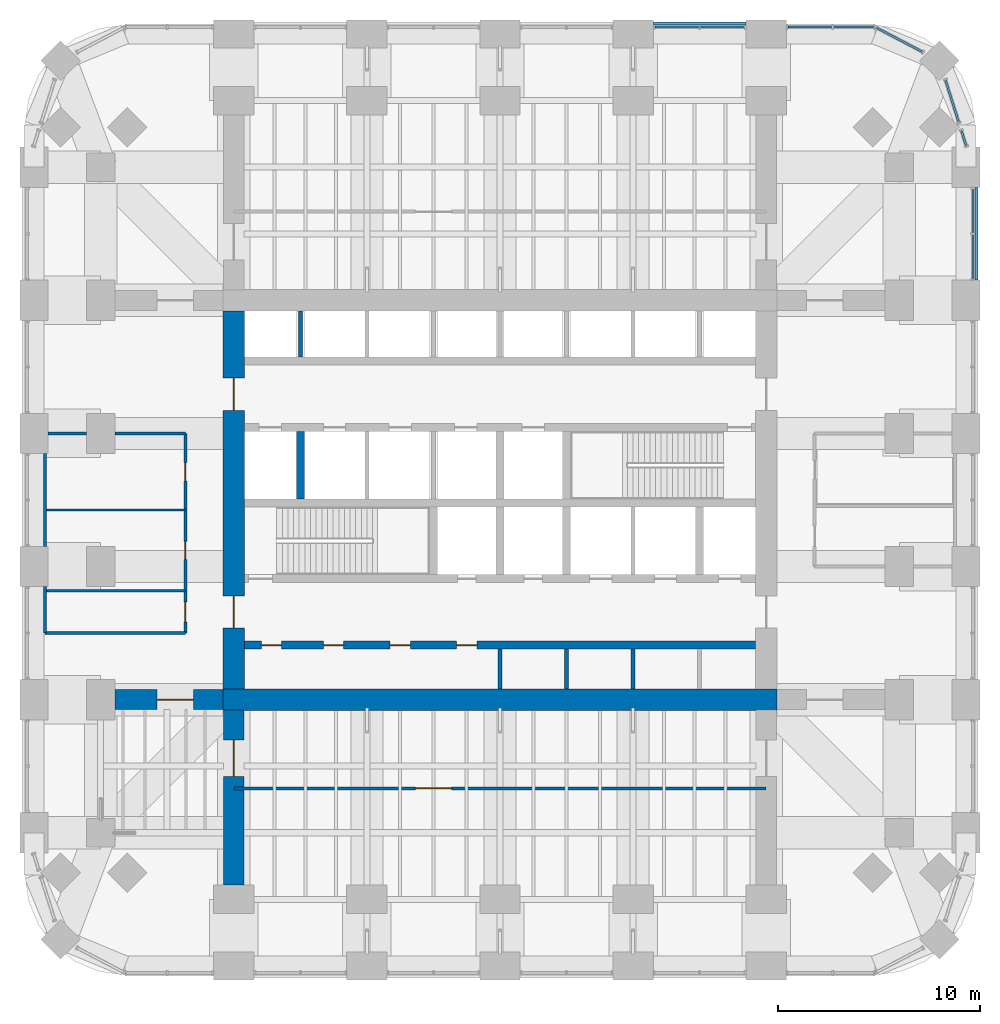
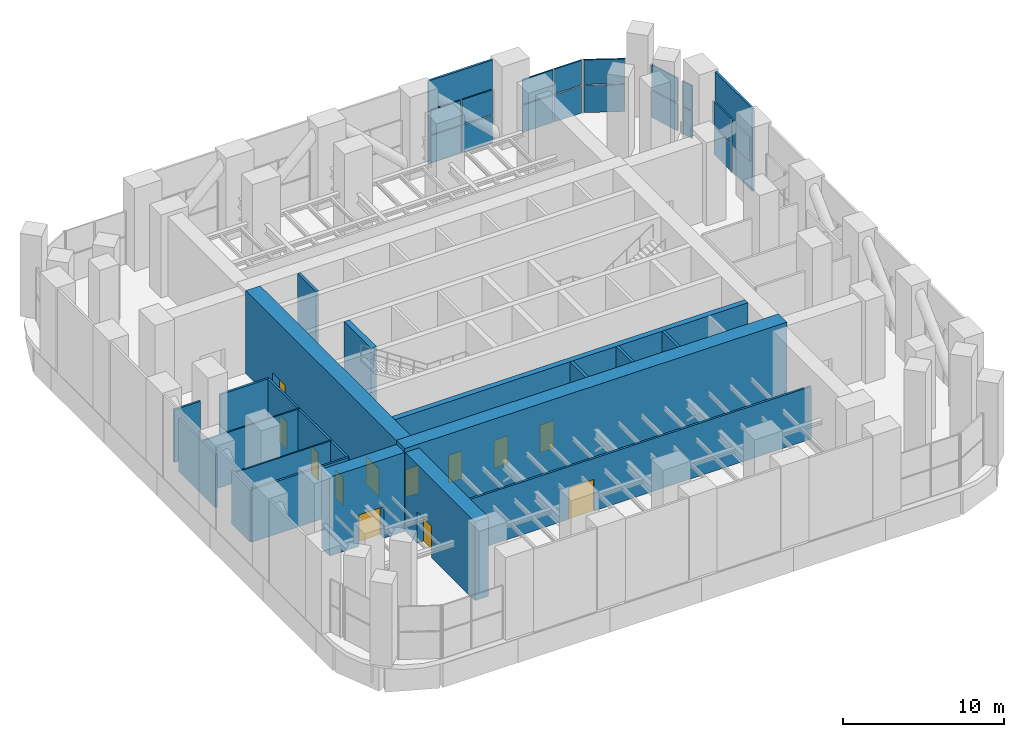
# One storey, part 12 of 16: 19 plates, 19 walls, 12 doors, 12 openings, 6 elements without a shape of their own.
"""IFC4 building model written with IfcOpenShell, lengths in metres."""

import ifcopenshell
import ifcopenshell.guid

model = None  # the IFC model being written
_history = None  # IfcOwnerHistory: only IFC2X3 demands one
_inside = {}  # id of a spatial element -> (the spatial element, [elements in it])
_under = {}  # id of a project, library or spatial element -> (it, [spatial elements below it])
_declared = {}  # id of a project -> (the project, [libraries it declares])
_typed = {}  # id of a type object -> (the type object, [elements of that type])
_made_of = {}  # id of a material, layer set ... -> (it, [elements and type objects made of it])


def new_model(schema):
    """Start an empty IFC model of exactly this schema.

    Asked for "IFC4X3", IfcOpenShell would pick the latest addendum, in which some entities
    have other attributes; the version numbers below select the first issue.
    IFC2X3 requires an IfcOwnerHistory on every rooted entity: one is made here for all.
    """
    global model, _history
    if schema == "IFC4X3":
        model = ifcopenshell.file(schema_version=(4, 3, 0, 0))
    else:
        model = ifcopenshell.file(schema=schema)
    _inside.clear()
    _under.clear()
    _declared.clear()
    _typed.clear()
    _made_of.clear()
    _history = None
    if model.schema == "IFC2X3":
        org = make("IfcOrganization", Name="unknown")
        user = make(
            "IfcPersonAndOrganization",
            ThePerson=make("IfcPerson", FamilyName="unknown"),
            TheOrganization=org,
        )
        app = make(
            "IfcApplication",
            ApplicationDeveloper=org,
            Version="unknown",
            ApplicationFullName="unknown",
            ApplicationIdentifier="unknown",
        )
        _history = make(
            "IfcOwnerHistory",
            OwningUser=user,
            OwningApplication=app,
            ChangeAction="ADDED",
            CreationDate=0,
        )
    return model


def make(cls, **values):
    """One entity of the class cls with the attributes given. An attribute that is None is left unset."""
    return model.create_entity(
        cls, **{name: value for name, value in values.items() if value is not None}
    )


def rooted(cls, **values):
    """An entity with a GlobalId (a new one), such as an element, a storey or a relation."""
    return make(cls, GlobalId=ifcopenshell.guid.new(), OwnerHistory=_history, **values)


def si_unit(unit_type, name, prefix=None):
    """IfcSIUnit, for example si_unit("LENGTHUNIT", "METRE", prefix="MILLI")."""
    return make("IfcSIUnit", UnitType=unit_type, Prefix=prefix, Name=name)


def assignment(units):
    """IfcUnitAssignment: the units of a project."""
    return None if units is None else make("IfcUnitAssignment", Units=units)


def point(xyz):
    """IfcCartesianPoint."""
    return None if xyz is None else make("IfcCartesianPoint", Coordinates=xyz)


def direction(xyz):
    """IfcDirection."""
    return None if xyz is None else make("IfcDirection", DirectionRatios=xyz)


def frame(location, z_axis=None, x_axis=None):
    """IfcAxis2Placement3D, a coordinate frame: its origin and axes. An axis left out is left unset."""
    return make(
        "IfcAxis2Placement3D",
        Location=point(location),
        Axis=direction(z_axis),
        RefDirection=direction(x_axis),
    )


def frame_2d(location, x_axis=None):
    """IfcAxis2Placement2D, a coordinate frame in the plane: its origin and x axis."""
    return make(
        "IfcAxis2Placement2D", Location=point(location), RefDirection=direction(x_axis)
    )


def origin():
    """The frame at (0, 0, 0) with its axes left unset."""
    return frame((0.0, 0.0, 0.0))


def origin_2d():
    """The frame at (0, 0) in the plane with its x axis left unset."""
    return frame_2d((0.0, 0.0))


def place(relative_to, where):
    """IfcLocalPlacement: puts the frame where relative to a parent placement (None: the world)."""
    return make(
        "IfcLocalPlacement", PlacementRelTo=relative_to, RelativePlacement=where
    )


def context(
    kind, dimensions, precision=None, world=None, true_north=None, identifier=None
):
    """IfcGeometricRepresentationContext, for example the 3D "Model" context."""
    return make(
        "IfcGeometricRepresentationContext",
        ContextIdentifier=identifier,
        ContextType=kind,
        CoordinateSpaceDimension=dimensions,
        Precision=precision,
        WorldCoordinateSystem=world,
        TrueNorth=true_north,
    )


def subcontext(parent, identifier, kind, view, scale=None):
    """IfcGeometricRepresentationSubContext, for example "Body" below "Model"."""
    return make(
        "IfcGeometricRepresentationSubContext",
        ContextIdentifier=identifier,
        ContextType=kind,
        ParentContext=parent,
        TargetScale=scale,
        TargetView=view,
    )


def project(units=None, contexts=None):
    """IfcProject with its units and contexts."""
    return rooted(
        "IfcProject",
        Name="project",
        RepresentationContexts=contexts,
        UnitsInContext=assignment(units),
    )


def spatial(cls, under=None, at=None, **own):
    """A site, building, storey or space (cls), placed at a placement, below another one or the project."""
    s = rooted(cls, ObjectPlacement=at, **own)
    if under is not None:
        _under.setdefault(under.id(), (under, []))[1].append(s)
    return s


def profile(cls, at=None, kind="AREA", **sizes):
    """A parametric profile (cls). Its sizes go by their IFC names, for example OverallWidth=200.0."""
    return make(cls, ProfileType=kind, Position=at, **sizes)


def rectangle(**sizes):
    """IfcRectangleProfileDef."""
    return profile("IfcRectangleProfileDef", **sizes)


def extrude(swept, where, along, depth):
    """IfcExtrudedAreaSolid: the profile swept, set in the frame where, extruded along a direction by depth."""
    return make(
        "IfcExtrudedAreaSolid",
        SweptArea=swept,
        Position=where,
        ExtrudedDirection=direction(along),
        Depth=depth,
    )


def shape(context_of_items, identifier, shape_type, items):
    """IfcShapeRepresentation: the items that make up one representation, for example the "Body"."""
    return make(
        "IfcShapeRepresentation",
        ContextOfItems=context_of_items,
        RepresentationIdentifier=identifier,
        RepresentationType=shape_type,
        Items=items,
    )


def material(Name=None, Category=None):
    """IfcMaterial."""
    return make("IfcMaterial", Name=Name, Category=Category)


def layer(
    of_material, thickness, ventilated=None, Name=None, Category=None, Priority=None
):
    """IfcMaterialLayer: one layer of a wall or slab, of a material (None: an air gap)."""
    return make(
        "IfcMaterialLayer",
        Material=of_material,
        LayerThickness=thickness,
        IsVentilated=ventilated,
        Name=Name,
        Category=Category,
        Priority=Priority,
    )


def layer_set(layers, Name=None):
    """IfcMaterialLayerSet."""
    return make("IfcMaterialLayerSet", MaterialLayers=layers, LayerSetName=Name)


def made_of(thing, what):
    """Note that an element or type object is made of a material, layer set ...; save() writes the relation."""
    if what is not None:
        _made_of.setdefault(what.id(), (what, []))[1].append(thing)
    return thing


def type_object(cls, material=None, **own):
    """A type object (cls), such as IfcWallType, which elements share."""
    return made_of(rooted(cls, **own), material)


def element(
    cls,
    number,
    at=None,
    inside=None,
    cuts=None,
    type_object=None,
    material=None,
    context=None,
    identifier="Body",
    shape_type=None,
    held_by="IfcProductDefinitionShape",
    body=None,
    shapes=None,
    **own,
):
    """One element of the class cls, such as IfcWall. Its Tag is "e" and its number.

    at: its placement. inside: the storey or other place that contains it. cuts: it is an
    opening in that element (IfcRelVoidsElement). A single representation is given by context,
    identifier, shape_type and body (its items); several are given by shapes. held_by: the class
    of the entity that holds the representations. save() writes the other relations.
    """
    e = rooted(cls, Tag="e%d" % number, ObjectPlacement=at, **own)
    if body is not None:
        shapes = [shape(context, identifier, shape_type, body)]
    if shapes is not None:
        e.Representation = make(held_by, Representations=shapes)
    if inside is not None:
        _inside.setdefault(inside.id(), (inside, []))[1].append(e)
    if cuts is not None:
        rooted(
            "IfcRelVoidsElement", RelatingBuildingElement=cuts, RelatedOpeningElement=e
        )
    if type_object is not None:
        _typed.setdefault(type_object.id(), (type_object, []))[1].append(e)
    return made_of(e, material)


def fill(opening, filler):
    """IfcRelFillsElement: the door or window that sits in an opening."""
    return rooted(
        "IfcRelFillsElement",
        RelatingOpeningElement=opening,
        RelatedBuildingElement=filler,
    )


def aggregate(whole, parts):
    """IfcRelAggregates: a whole, such as a stair, and the parts it consists of."""
    return rooted("IfcRelAggregates", RelatingObject=whole, RelatedObjects=parts)


def save(model, path):
    """Write the relations noted so far, then the file.

    IfcRelAggregates (storeys below a building ...), IfcRelContainedInSpatialStructure (elements
    in a storey), IfcRelDefinesByType, IfcRelAssociatesMaterial and IfcRelDeclares: one each for
    every whole, place, type object, material and project.
    """
    for whole, parts in _under.values():
        aggregate(whole, parts)
    for where, things in _inside.values():
        rooted(
            "IfcRelContainedInSpatialStructure",
            RelatedElements=things,
            RelatingStructure=where,
        )
    for kind, things in _typed.values():
        rooted("IfcRelDefinesByType", RelatedObjects=things, RelatingType=kind)
    for what, things in _made_of.values():
        rooted("IfcRelAssociatesMaterial", RelatedObjects=things, RelatingMaterial=what)
    for by, libraries in _declared.values():
        rooted("IfcRelDeclares", RelatingContext=by, RelatedDefinitions=libraries)
    model.write(path)


model = new_model("IFC4")

# Units and contexts
model_context = context("Model", 3, precision=1e-05, world=origin(), true_north=direction((0.0, 1.0)))
body_context = subcontext(model_context, "Body", "Model", "MODEL_VIEW")
ifc_project = project(units=[si_unit("LENGTHUNIT", "METRE"), si_unit("AREAUNIT", "SQUARE_METRE"), si_unit("VOLUMEUNIT", "CUBIC_METRE"), si_unit("PLANEANGLEUNIT", "RADIAN"), si_unit("MASSUNIT", "GRAM", prefix="KILO")], contexts=[model_context])

# Site, building, storey
site_placement = place(None, origin())
site = spatial("IfcSite", under=ifc_project, at=site_placement, CompositionType="ELEMENT")
building_placement = place(site_placement, origin())
building = spatial("IfcBuilding", under=site, at=building_placement, Name="Cobogo Forest Laboratory Tower", CompositionType="ELEMENT")
storey_placement = place(building_placement, frame((0.0, 0.0, 149.39990234375)))
storey = spatial("IfcBuildingStorey", under=building, at=storey_placement, Name="L34", CompositionType="ELEMENT", Elevation=149.39990234375)

# Plates
ifc_material_1 = material(Name="Pierced concrete block", Category="concrete")
ifc_layer_1 = layer(ifc_material_1, 0.14990234375)
ifc_layer_set_1 = layer_set([ifc_layer_1], Name="CO2 cobogo block screen 150")
plate_type_1 = type_object("IfcPlateType", Name="CO2 cobogo block screen 150", PredefinedType="USERDEFINED", material=ifc_layer_set_1)
for number, where, z_axis, x_axis, name in (
    (1, (50.02490234375, 36.300048828125, -0.14990234375), (0.0, 0.0, 1.0), (0.0, 1.0, 0.0), "Cobogo screen E5 L34"),
    (2, (36.300048828125, 46.72509765625, -0.14990234375), (0.0, 0.0, 1.0), (1.0, 0.0, 0.0), "Cobogo screen N4 L34"),
):
    element("IfcPlate", number, at=place(storey_placement, frame(where, z_axis=z_axis, x_axis=x_axis)), inside=storey, type_object=plate_type_1, Name=name, ObjectType="COBOGO SCREEN", PredefinedType="USERDEFINED", context=body_context, shape_type="SweptSolid", body=[
        extrude(rectangle(XDim=4.60009765625, YDim=0.14990234375, at=origin_2d()), origin(), (0.0, 0.0, 1.0), 6.300048828125),
    ])

# Curtain wall, plates
ifc_material_2 = material(Name="Aluminium curtain wall", Category="aluminium")
curtain_wall_type = type_object("IfcCurtainWallType", Name="CW-P louvred curtain wall, plant floors", PredefinedType="USERDEFINED", material=ifc_material_2)
curtain_wall_1_placement = place(storey_placement, origin())
curtain_wall_1 = element("IfcCurtainWall", 3, at=curtain_wall_1_placement, inside=storey, type_object=curtain_wall_type, Name="Curtain wall 14 L34", ObjectType="LOUVRED CURTAIN WALL", PredefinedType="USERDEFINED")
ifc_material_3 = material(Name="Aluminium louvre", Category="aluminium")
ifc_layer_2 = layer(ifc_material_3, 0.10009765625)
ifc_layer_set_2 = layer_set([ifc_layer_2], Name="LV-1 aluminium weather louvre panel 100")
plate_type_2 = type_object("IfcPlateType", Name="LV-1 aluminium weather louvre panel 100", PredefinedType="CURTAIN_PANEL", material=ifc_layer_set_2)
plate_1_placement = place(storey_placement, frame((49.85009765625, 35.169921875, 2.14013671875), z_axis=(0.0, 0.0, 1.0), x_axis=(0.0, 1.0, 0.0)))
plate_1 = element("IfcPlate", 4, at=plate_1_placement, type_object=plate_type_2, Name="CW-P panel 1.2", PredefinedType="CURTAIN_PANEL", context=body_context, shape_type="SweptSolid", body=[
    extrude(rectangle(XDim=2.179931640625, YDim=0.10009765625, at=origin_2d()), origin(), (0.0, 0.0, 1.0), 1.860107421875),
])
plate_2_placement = place(storey_placement, frame((49.85009765625, 37.429931640625, 0.0), z_axis=(0.0, 0.0, 1.0), x_axis=(0.0, 1.0, 0.0)))
plate_2 = element("IfcPlate", 5, at=plate_2_placement, type_object=plate_type_2, Name="CW-P panel 2.1", PredefinedType="CURTAIN_PANEL", context=body_context, shape_type="SweptSolid", body=[
    extrude(rectangle(XDim=2.179931640625, YDim=0.10009765625, at=origin_2d()), origin(), (0.0, 0.0, 1.0), 2.06005859375),
])
plate_3_placement = place(storey_placement, frame((49.85009765625, 37.429931640625, 2.14013671875), z_axis=(0.0, 0.0, 1.0), x_axis=(0.0, 1.0, 0.0)))
plate_3 = element("IfcPlate", 6, at=plate_3_placement, type_object=plate_type_2, Name="CW-P panel 2.2", PredefinedType="CURTAIN_PANEL", context=body_context, shape_type="SweptSolid", body=[
    extrude(rectangle(XDim=2.179931640625, YDim=0.10009765625, at=origin_2d()), origin(), (0.0, 0.0, 1.0), 1.860107421875),
])
aggregate(curtain_wall_1, [plate_1, plate_2, plate_3])

curtain_wall_2_placement = place(storey_placement, origin())
curtain_wall_2 = element("IfcCurtainWall", 7, at=curtain_wall_2_placement, inside=storey, type_object=curtain_wall_type, Name="Curtain wall 15 L34", ObjectType="LOUVRED CURTAIN WALL", PredefinedType="USERDEFINED")
plate_4_placement = place(storey_placement, frame((49.39501953125, 41.041015625, 0.0), z_axis=(0.0, 0.0, 1.0), x_axis=(-0.301135352577, 0.953581406818, 0.0)))
plate_4 = element("IfcPlate", 8, at=plate_4_placement, type_object=plate_type_2, Name="CW-P panel 1.1", PredefinedType="CURTAIN_PANEL", context=body_context, shape_type="SweptSolid", body=[
    extrude(rectangle(XDim=0.764892578125, YDim=0.10009765625, at=origin_2d()), origin(), (0.0, 0.0, 1.0), 2.06005859375),
])
plate_5_placement = place(storey_placement, frame((49.39501953125, 41.041015625, 2.14013671875), z_axis=(0.0, 0.0, 1.0), x_axis=(-0.301135352577, 0.953581406818, 0.0)))
plate_5 = element("IfcPlate", 9, at=plate_5_placement, type_object=plate_type_2, Name="CW-P panel 1.2", PredefinedType="CURTAIN_PANEL", context=body_context, shape_type="SweptSolid", body=[
    extrude(rectangle(XDim=0.764892578125, YDim=0.10009765625, at=origin_2d()), origin(), (0.0, 0.0, 1.0), 1.860107421875),
])
aggregate(curtain_wall_2, [plate_4, plate_5])

curtain_wall_3_placement = place(storey_placement, origin())
curtain_wall_3 = element("IfcCurtainWall", 10, at=curtain_wall_3_placement, inside=storey, type_object=curtain_wall_type, Name="Curtain wall 16 L34", ObjectType="LOUVRED CURTAIN WALL", PredefinedType="USERDEFINED")
plate_6_placement = place(storey_placement, frame((48.8134765625, 42.882080078125, 0.0), z_axis=(0.0, 0.0, 1.0), x_axis=(-0.301135343623, 0.953581409645, 0.0)))
plate_6 = element("IfcPlate", 11, at=plate_6_placement, type_object=plate_type_2, Name="CW-P panel 1.1", PredefinedType="CURTAIN_PANEL", context=body_context, shape_type="SweptSolid", body=[
    extrude(rectangle(XDim=2.163330078125, YDim=0.10009765625, at=origin_2d()), origin(), (0.0, 0.0, 1.0), 2.06005859375),
])
plate_7_placement = place(storey_placement, frame((48.8134765625, 42.882080078125, 2.14013671875), z_axis=(0.0, 0.0, 1.0), x_axis=(-0.301135343623, 0.953581409645, 0.0)))
plate_7 = element("IfcPlate", 12, at=plate_7_placement, type_object=plate_type_2, Name="CW-P panel 1.2", PredefinedType="CURTAIN_PANEL", context=body_context, shape_type="SweptSolid", body=[
    extrude(rectangle(XDim=2.163330078125, YDim=0.10009765625, at=origin_2d()), origin(), (0.0, 0.0, 1.0), 1.860107421875),
])
aggregate(curtain_wall_3, [plate_6, plate_7])

curtain_wall_4_placement = place(storey_placement, origin())
curtain_wall_4 = element("IfcCurtainWall", 13, at=curtain_wall_4_placement, inside=storey, type_object=curtain_wall_type, Name="Curtain wall 17 L34", ObjectType="LOUVRED CURTAIN WALL", PredefinedType="USERDEFINED")
plate_8_placement = place(storey_placement, frame((46.2060546875, 45.917724609375, 0.0), z_axis=(0.0, 0.0, 1.0), x_axis=(-0.885686540666, 0.464283697413, 0.0)))
plate_8 = element("IfcPlate", 14, at=plate_8_placement, type_object=plate_type_2, Name="CW-P panel 1.1", PredefinedType="CURTAIN_PANEL", context=body_context, shape_type="SweptSolid", body=[
    extrude(rectangle(XDim=2.563232421875, YDim=0.10009765625, at=origin_2d()), origin(), (0.0, 0.0, 1.0), 2.06005859375),
])
plate_9_placement = place(storey_placement, frame((46.2060546875, 45.917724609375, 2.14013671875), z_axis=(0.0, 0.0, 1.0), x_axis=(-0.885686540666, 0.464283697413, 0.0)))
plate_9 = element("IfcPlate", 15, at=plate_9_placement, type_object=plate_type_2, Name="CW-P panel 1.2", PredefinedType="CURTAIN_PANEL", context=body_context, shape_type="SweptSolid", body=[
    extrude(rectangle(XDim=2.563232421875, YDim=0.10009765625, at=origin_2d()), origin(), (0.0, 0.0, 1.0), 1.860107421875),
])
aggregate(curtain_wall_4, [plate_8, plate_9])

curtain_wall_5_placement = place(storey_placement, origin())
curtain_wall_5 = element("IfcCurtainWall", 16, at=curtain_wall_5_placement, inside=storey, type_object=curtain_wall_type, Name="Curtain wall 18 L34", ObjectType="LOUVRED CURTAIN WALL", PredefinedType="USERDEFINED")
plate_10_placement = place(storey_placement, frame((43.929931640625, 46.550048828125, 0.0), z_axis=(0.0, 0.0, 1.0), x_axis=(-1.0, 0.0, 0.0)))
plate_10 = element("IfcPlate", 17, at=plate_10_placement, type_object=plate_type_2, Name="CW-P panel 1.1", PredefinedType="CURTAIN_PANEL", context=body_context, shape_type="SweptSolid", body=[
    extrude(rectangle(XDim=1.97998046875, YDim=0.10009765625, at=origin_2d()), origin(), (0.0, 0.0, 1.0), 2.06005859375),
])
plate_11_placement = place(storey_placement, frame((43.929931640625, 46.550048828125, 2.14013671875), z_axis=(0.0, 0.0, 1.0), x_axis=(-1.0, 0.0, 0.0)))
plate_11 = element("IfcPlate", 18, at=plate_11_placement, type_object=plate_type_2, Name="CW-P panel 1.2", PredefinedType="CURTAIN_PANEL", context=body_context, shape_type="SweptSolid", body=[
    extrude(rectangle(XDim=1.97998046875, YDim=0.10009765625, at=origin_2d()), origin(), (0.0, 0.0, 1.0), 1.860107421875),
])
plate_12_placement = place(storey_placement, frame((41.77001953125, 46.550048828125, 0.0), z_axis=(0.0, 0.0, 1.0), x_axis=(-1.0, 0.0, 0.0)))
plate_12 = element("IfcPlate", 19, at=plate_12_placement, type_object=plate_type_2, Name="CW-P panel 2.1", PredefinedType="CURTAIN_PANEL", context=body_context, shape_type="SweptSolid", body=[
    extrude(rectangle(XDim=2.179931640625, YDim=0.10009765625, at=origin_2d()), origin(), (0.0, 0.0, 1.0), 2.06005859375),
])
plate_13_placement = place(storey_placement, frame((41.77001953125, 46.550048828125, 2.14013671875), z_axis=(0.0, 0.0, 1.0), x_axis=(-1.0, 0.0, 0.0)))
plate_13 = element("IfcPlate", 20, at=plate_13_placement, type_object=plate_type_2, Name="CW-P panel 2.2", PredefinedType="CURTAIN_PANEL", context=body_context, shape_type="SweptSolid", body=[
    extrude(rectangle(XDim=2.179931640625, YDim=0.10009765625, at=origin_2d()), origin(), (0.0, 0.0, 1.0), 1.860107421875),
])
aggregate(curtain_wall_5, [plate_10, plate_11, plate_12, plate_13])

curtain_wall_6_placement = place(storey_placement, origin())
curtain_wall_6 = element("IfcCurtainWall", 21, at=curtain_wall_6_placement, inside=storey, type_object=curtain_wall_type, Name="Curtain wall 19 L34", ObjectType="LOUVRED CURTAIN WALL", PredefinedType="USERDEFINED")
plate_14_placement = place(storey_placement, frame((37.429931640625, 46.550048828125, 0.0), z_axis=(0.0, 0.0, 1.0), x_axis=(-1.0, 0.0, 0.0)))
plate_14 = element("IfcPlate", 22, at=plate_14_placement, type_object=plate_type_2, Name="CW-P panel 1.1", PredefinedType="CURTAIN_PANEL", context=body_context, shape_type="SweptSolid", body=[
    extrude(rectangle(XDim=2.179931640625, YDim=0.10009765625, at=origin_2d()), origin(), (0.0, 0.0, 1.0), 2.06005859375),
])
plate_15_placement = place(storey_placement, frame((37.429931640625, 46.550048828125, 2.14013671875), z_axis=(0.0, 0.0, 1.0), x_axis=(-1.0, 0.0, 0.0)))
plate_15 = element("IfcPlate", 23, at=plate_15_placement, type_object=plate_type_2, Name="CW-P panel 1.2", PredefinedType="CURTAIN_PANEL", context=body_context, shape_type="SweptSolid", body=[
    extrude(rectangle(XDim=2.179931640625, YDim=0.10009765625, at=origin_2d()), origin(), (0.0, 0.0, 1.0), 1.860107421875),
])
plate_16_placement = place(storey_placement, frame((35.169921875, 46.550048828125, 0.0), z_axis=(0.0, 0.0, 1.0), x_axis=(-1.0, 0.0, 0.0)))
plate_16 = element("IfcPlate", 24, at=plate_16_placement, type_object=plate_type_2, Name="CW-P panel 2.1", PredefinedType="CURTAIN_PANEL", context=body_context, shape_type="SweptSolid", body=[
    extrude(rectangle(XDim=2.179931640625, YDim=0.10009765625, at=origin_2d()), origin(), (0.0, 0.0, 1.0), 2.06005859375),
])
plate_17_placement = place(storey_placement, frame((35.169921875, 46.550048828125, 2.14013671875), z_axis=(0.0, 0.0, 1.0), x_axis=(-1.0, 0.0, 0.0)))
plate_17 = element("IfcPlate", 25, at=plate_17_placement, type_object=plate_type_2, Name="CW-P panel 2.2", PredefinedType="CURTAIN_PANEL", context=body_context, shape_type="SweptSolid", body=[
    extrude(rectangle(XDim=2.179931640625, YDim=0.10009765625, at=origin_2d()), origin(), (0.0, 0.0, 1.0), 1.860107421875),
])
aggregate(curtain_wall_6, [plate_14, plate_15, plate_16, plate_17])

# Wall, openings, doors
ifc_material_4 = material(Name="Concrete HA-50 (C50/60)", Category="concrete")
ifc_layer_3 = layer(ifc_material_4, 0.39990234375)
ifc_layer_set_3 = layer_set([ifc_layer_3], Name="CI400 core inner wall 400")
wall_type_1 = type_object("IfcWallType", Name="CI400 core inner wall 400", PredefinedType="SHEAR", material=ifc_layer_set_3)
wall_1_placement = place(storey_placement, frame((13.72509765625, 15.89990234375, 0.0), z_axis=(0.0, 0.0, 1.0), x_axis=(1.0, 0.0, 0.0)))
wall_1 = element("IfcWall", 26, at=wall_1_placement, inside=storey, type_object=wall_type_1, Name="Core wall CI-15.9 L34", PredefinedType="SHEAR", context=body_context, shape_type="SweptSolid", body=[
    extrude(rectangle(XDim=25.349853515625, YDim=0.39990234375, at=frame_2d((12.6748046875, 0.0))), origin(), (0.0, 0.0, 1.0), 6.300048828125),
])
opening_1_placement = place(wall_1_placement, frame((0.83740234375, 0.0, 0.0)))
opening_1 = element("IfcOpeningElement", 27, at=opening_1_placement, cuts=wall_1, Name="Opening L34-D06", PredefinedType="OPENING", context=body_context, shape_type="SweptSolid", body=[
    extrude(rectangle(XDim=1.0, YDim=2.10009765625, at=frame_2d((0.5, 1.050048828125))), frame((0.0, 0.2099609375, 0.0), z_axis=(0.0, -1.0, 0.0), x_axis=(1.0, 0.0, 0.0)), (0.0, 0.0, 1.0), 0.419921875),
])
opening_2_placement = place(wall_1_placement, frame((3.925048828125, 0.0, 0.0)))
opening_2 = element("IfcOpeningElement", 28, at=opening_2_placement, cuts=wall_1, Name="Opening L34-D07", PredefinedType="OPENING", context=body_context, shape_type="SweptSolid", body=[
    extrude(rectangle(XDim=1.0, YDim=2.10009765625, at=frame_2d((0.5, 1.050048828125))), frame((0.0, 0.2099609375, 0.0), z_axis=(0.0, -1.0, 0.0), x_axis=(1.0, 0.0, 0.0)), (0.0, 0.0, 1.0), 0.419921875),
])
opening_3_placement = place(wall_1_placement, frame((7.22509765625, 0.0, 0.0)))
opening_3 = element("IfcOpeningElement", 29, at=opening_3_placement, cuts=wall_1, Name="Opening L34-D08", PredefinedType="OPENING", context=body_context, shape_type="SweptSolid", body=[
    extrude(rectangle(XDim=1.0, YDim=2.10009765625, at=frame_2d((0.5, 1.050048828125))), frame((0.0, 0.2099609375, 0.0), z_axis=(0.0, -1.0, 0.0), x_axis=(1.0, 0.0, 0.0)), (0.0, 0.0, 1.0), 0.419921875),
])
opening_4_placement = place(wall_1_placement, frame((10.52490234375, 0.0, 0.0)))
opening_4 = element("IfcOpeningElement", 30, at=opening_4_placement, cuts=wall_1, Name="Opening L34-D09", PredefinedType="OPENING", context=body_context, shape_type="SweptSolid", body=[
    extrude(rectangle(XDim=1.0, YDim=2.10009765625, at=frame_2d((0.5, 1.050048828125))), frame((0.0, 0.2099609375, 0.0), z_axis=(0.0, -1.0, 0.0), x_axis=(1.0, 0.0, 0.0)), (0.0, 0.0, 1.0), 0.419921875),
])
ifc_material_5 = material(Name="Steel fire door", Category="steel")
door_type_1 = type_object("IfcDoorType", Name="FD1 fire door 1000 EI2 60", OperationType="SINGLE_SWING_LEFT", PredefinedType="DOOR", material=ifc_material_5)
door_1_placement = place(opening_1_placement, origin())
door_1 = element("IfcDoor", 31, at=door_1_placement, inside=storey, type_object=door_type_1, Name="Door L34-SH-LA1", OperationType="SINGLE_SWING_LEFT", OverallHeight=2.10009765625, OverallWidth=1.0, PredefinedType="DOOR", context=body_context, shape_type="SweptSolid", body=[
    extrude(rectangle(XDim=1.0, YDim=2.10009765625, at=frame_2d((0.5, 1.050048828125))), frame((0.0, 0.02490234375, 0.0), z_axis=(0.0, -1.0, 0.0), x_axis=(1.0, 0.0, 0.0)), (0.0, 0.0, 1.0), 0.050048828125),
])
fill(opening_1, door_1)
door_2_placement = place(opening_2_placement, origin())
door_2 = element("IfcDoor", 32, at=door_2_placement, inside=storey, type_object=door_type_1, Name="Door L34-SH-LA2", OperationType="SINGLE_SWING_LEFT", OverallHeight=2.10009765625, OverallWidth=1.0, PredefinedType="DOOR", context=body_context, shape_type="SweptSolid", body=[
    extrude(rectangle(XDim=1.0, YDim=2.10009765625, at=frame_2d((0.5, 1.050048828125))), frame((0.0, 0.02490234375, 0.0), z_axis=(0.0, -1.0, 0.0), x_axis=(1.0, 0.0, 0.0)), (0.0, 0.0, 1.0), 0.050048828125),
])
fill(opening_2, door_2)
door_3_placement = place(opening_3_placement, origin())
door_3 = element("IfcDoor", 33, at=door_3_placement, inside=storey, type_object=door_type_1, Name="Door L34-SH-LA3", OperationType="SINGLE_SWING_LEFT", OverallHeight=2.10009765625, OverallWidth=1.0, PredefinedType="DOOR", context=body_context, shape_type="SweptSolid", body=[
    extrude(rectangle(XDim=1.0, YDim=2.10009765625, at=frame_2d((0.5, 1.050048828125))), frame((0.0, 0.02490234375, 0.0), z_axis=(0.0, -1.0, 0.0), x_axis=(1.0, 0.0, 0.0)), (0.0, 0.0, 1.0), 0.050048828125),
])
fill(opening_3, door_3)
door_4_placement = place(opening_4_placement, origin())
door_4 = element("IfcDoor", 34, at=door_4_placement, inside=storey, type_object=door_type_1, Name="Door L34-SH-LA4", OperationType="SINGLE_SWING_LEFT", OverallHeight=2.10009765625, OverallWidth=1.0, PredefinedType="DOOR", context=body_context, shape_type="SweptSolid", body=[
    extrude(rectangle(XDim=1.0, YDim=2.10009765625, at=frame_2d((0.5, 1.050048828125))), frame((0.0, 0.02490234375, 0.0), z_axis=(0.0, -1.0, 0.0), x_axis=(1.0, 0.0, 0.0)), (0.0, 0.0, 1.0), 0.050048828125),
])
fill(opening_4, door_4)

# Walls
wall_2_placement = place(storey_placement, frame((16.5, 23.14990234375, 0.0), z_axis=(0.0, 0.0, 1.0), x_axis=(0.0, 1.0, 0.0)))
element("IfcWall", 35, at=wall_2_placement, inside=storey, type_object=wall_type_1, Name="Core wall CX-16.5 L34", PredefinedType="SHEAR", context=body_context, shape_type="SweptSolid", body=[
    extrude(rectangle(XDim=3.35009765625, YDim=0.39990234375, at=frame_2d((1.675048828125, 0.0))), origin(), (0.0, 0.0, 1.0), 6.300048828125),
])
ifc_layer_4 = layer(ifc_material_4, 1.050048828125)
ifc_layer_set_4 = layer_set([ifc_layer_4], Name="CW1050 core outer wall 1050")
wall_type_2 = type_object("IfcWallType", Name="CW1050 core outer wall 1050", PredefinedType="SHEAR", material=ifc_layer_set_4)
wall_3_placement = place(storey_placement, frame((12.675048828125, 13.199951171875, 0.0), z_axis=(0.0, 0.0, 1.0), x_axis=(1.0, 0.0, 0.0)))
element("IfcWall", 36, at=wall_3_placement, inside=storey, type_object=wall_type_2, Name="Core wall CO-S L34", PredefinedType="SHEAR", context=body_context, shape_type="SweptSolid", body=[
    extrude(rectangle(XDim=27.449951171875, YDim=1.050048828125, at=frame_2d((13.72509765625, 0.0))), origin(), (0.0, 0.0, 1.0), 6.300048828125),
])

# Wall, openings, doors
wall_4_placement = place(storey_placement, frame((13.199951171875, 32.47509765625, 0.0), z_axis=(0.0, 0.0, 1.0), x_axis=(0.0, -1.0, 0.0)))
wall_4 = element("IfcWall", 37, at=wall_4_placement, inside=storey, type_object=wall_type_2, Name="Core wall CO-W L34", PredefinedType="SHEAR", context=body_context, shape_type="SweptSolid", body=[
    extrude(rectangle(XDim=18.75, YDim=1.050048828125, at=frame_2d((9.375, 0.0))), origin(), (0.0, 0.0, 1.0), 6.300048828125),
])
opening_5_placement = place(wall_4_placement, frame((14.125, 0.0, 0.0)))
opening_5 = element("IfcOpeningElement", 38, at=opening_5_placement, cuts=wall_4, Name="Opening L34-D11", PredefinedType="OPENING", context=body_context, shape_type="SweptSolid", body=[
    extrude(rectangle(XDim=1.60009765625, YDim=2.10009765625, at=frame_2d((0.800048828125, 1.050048828125))), frame((0.0, 0.534912109375, 0.0), z_axis=(0.0, -1.0, 0.0), x_axis=(1.0, 0.0, 0.0)), (0.0, 0.0, 1.0), 1.070068359375),
])
opening_6_placement = place(wall_4_placement, frame((3.324951171875, 0.0, 0.0)))
opening_6 = element("IfcOpeningElement", 39, at=opening_6_placement, cuts=wall_4, Name="Opening L34-D21", PredefinedType="OPENING", context=body_context, shape_type="SweptSolid", body=[
    extrude(rectangle(XDim=1.60009765625, YDim=2.10009765625, at=frame_2d((0.800048828125, 1.050048828125))), frame((0.0, 0.534912109375, 0.0), z_axis=(0.0, -1.0, 0.0), x_axis=(1.0, 0.0, 0.0)), (0.0, 0.0, 1.0), 1.070068359375),
])
door_type_2 = type_object("IfcDoorType", Name="DS2 protected lobby door pair 1600 EI2 60", OperationType="DOUBLE_DOOR_DOUBLE_SWING", PredefinedType="DOOR", material=ifc_material_5)
door_5_placement = place(opening_5_placement, origin())
door_5 = element("IfcDoor", 40, at=door_5_placement, inside=storey, type_object=door_type_2, Name="Door L34-CO-W-S", OperationType="DOUBLE_DOOR_DOUBLE_SWING", OverallHeight=2.10009765625, OverallWidth=1.60009765625, PredefinedType="DOOR", context=body_context, shape_type="SweptSolid", body=[
    extrude(rectangle(XDim=1.60009765625, YDim=2.10009765625, at=frame_2d((0.800048828125, 1.050048828125))), frame((0.0, 0.02490234375, 0.0), z_axis=(0.0, -1.0, 0.0), x_axis=(1.0, 0.0, 0.0)), (0.0, 0.0, 1.0), 0.050048828125),
])
fill(opening_5, door_5)
door_6_placement = place(opening_6_placement, origin())
door_6 = element("IfcDoor", 41, at=door_6_placement, inside=storey, type_object=door_type_2, Name="Door L34-CO-W-N", OperationType="DOUBLE_DOOR_DOUBLE_SWING", OverallHeight=2.10009765625, OverallWidth=1.60009765625, PredefinedType="DOOR", context=body_context, shape_type="SweptSolid", body=[
    extrude(rectangle(XDim=1.60009765625, YDim=2.10009765625, at=frame_2d((0.800048828125, 1.050048828125))), frame((0.0, 0.02490234375, 0.0), z_axis=(0.0, -1.0, 0.0), x_axis=(1.0, 0.0, 0.0)), (0.0, 0.0, 1.0), 0.050048828125),
])
fill(opening_6, door_6)

# Wall, opening, door
ifc_layer_5 = layer(ifc_material_4, 1.0)
ifc_layer_set_5 = layer_set([ifc_layer_5], Name="Outrigger wall 1000")
wall_type_3 = type_object("IfcWallType", Name="Outrigger wall 1000", PredefinedType="SHEAR", material=ifc_layer_set_5)
wall_5_placement = place(storey_placement, frame((13.199951171875, 12.675048828125, 0.0), z_axis=(0.0, 0.0, 1.0), x_axis=(0.0, -1.0, 0.0)))
wall_5 = element("IfcWall", 42, at=wall_5_placement, inside=storey, type_object=wall_type_3, Name="Outrigger wall OR-S3 L34", PredefinedType="SHEAR", context=body_context, shape_type="SweptSolid", body=[
    extrude(rectangle(XDim=8.675048828125, YDim=1.0, at=frame_2d((4.33740234375, 0.0))), origin(), (0.0, 0.0, 1.0), 6.0),
])
opening_7_placement = place(wall_5_placement, frame((1.47509765625, 0.0, 0.0)))
opening_7 = element("IfcOpeningElement", 43, at=opening_7_placement, cuts=wall_5, Name="Opening L34-D02", PredefinedType="OPENING", context=body_context, shape_type="SweptSolid", body=[
    extrude(rectangle(XDim=1.800048828125, YDim=2.39990234375, at=frame_2d((0.89990234375, 1.199951171875))), frame((0.0, 0.510009765625, 0.0), z_axis=(0.0, -1.0, 0.0), x_axis=(1.0, 0.0, 0.0)), (0.0, 0.0, 1.0), 1.02001953125),
])
door_type_3 = type_object("IfcDoorType", Name="PD1 plant door pair 1800 EI2 60", OperationType="DOUBLE_DOOR_SINGLE_SWING", PredefinedType="DOOR", material=ifc_material_5)
door_7_placement = place(opening_7_placement, origin())
door_7 = element("IfcDoor", 44, at=door_7_placement, inside=storey, type_object=door_type_3, Name="Door L34-OR-S3", OperationType="DOUBLE_DOOR_SINGLE_SWING", OverallHeight=2.39990234375, OverallWidth=1.800048828125, PredefinedType="DOOR", context=body_context, shape_type="SweptSolid", body=[
    extrude(rectangle(XDim=1.800048828125, YDim=2.39990234375, at=frame_2d((0.89990234375, 1.199951171875))), frame((0.0, 0.02490234375, 0.0), z_axis=(0.0, -1.0, 0.0), x_axis=(1.0, 0.0, 0.0)), (0.0, 0.0, 1.0), 0.050048828125),
])
fill(opening_7, door_7)

wall_6_placement = place(storey_placement, frame((12.675048828125, 13.199951171875, 0.0), z_axis=(0.0, 0.0, 1.0), x_axis=(-1.0, 0.0, 0.0)))
wall_6 = element("IfcWall", 45, at=wall_6_placement, inside=storey, type_object=wall_type_3, Name="Outrigger wall OR-WC L34", PredefinedType="SHEAR", context=body_context, shape_type="SweptSolid", body=[
    extrude(rectangle(XDim=5.375, YDim=1.0, at=frame_2d((2.6875, 0.0))), origin(), (0.0, 0.0, 1.0), 6.0),
])
opening_8_placement = place(wall_6_placement, frame((1.47509765625, 0.0, 0.0)))
opening_8 = element("IfcOpeningElement", 46, at=opening_8_placement, cuts=wall_6, Name="Opening L34-D04", PredefinedType="OPENING", context=body_context, shape_type="SweptSolid", body=[
    extrude(rectangle(XDim=1.800048828125, YDim=2.39990234375, at=frame_2d((0.89990234375, 1.199951171875))), frame((0.0, 0.510009765625, 0.0), z_axis=(0.0, -1.0, 0.0), x_axis=(1.0, 0.0, 0.0)), (0.0, 0.0, 1.0), 1.02001953125),
])
door_8_placement = place(opening_8_placement, origin())
door_8 = element("IfcDoor", 47, at=door_8_placement, inside=storey, type_object=door_type_3, Name="Door L34-OR-WC", OperationType="DOUBLE_DOOR_SINGLE_SWING", OverallHeight=2.39990234375, OverallWidth=1.800048828125, PredefinedType="DOOR", context=body_context, shape_type="SweptSolid", body=[
    extrude(rectangle(XDim=1.800048828125, YDim=2.39990234375, at=frame_2d((0.89990234375, 1.199951171875))), frame((0.0, 0.02490234375, 0.0), z_axis=(0.0, -1.0, 0.0), x_axis=(1.0, 0.0, 0.0)), (0.0, 0.0, 1.0), 0.050048828125),
])
fill(opening_8, door_8)

ifc_material_6 = material(Name="Gypsum board on steel studs", Category="steel")
ifc_layer_6 = layer(ifc_material_6, 0.14990234375)
ifc_layer_set_6 = layer_set([ifc_layer_6], Name="PT1 laboratory partition 150")
wall_type_4 = type_object("IfcWallType", Name="PT1 laboratory partition 150", PredefinedType="PARTITIONING", material=ifc_layer_set_6)
wall_7_placement = place(storey_placement, frame((13.199951171875, 8.800048828125, 0.0), z_axis=(0.0, 0.0, 1.0), x_axis=(1.0, 0.0, 0.0)))
wall_7 = element("IfcWall", 48, at=wall_7_placement, inside=storey, type_object=wall_type_4, Name="Partition PL-S L34", PredefinedType="PARTITIONING", context=body_context, shape_type="SweptSolid", body=[
    extrude(rectangle(XDim=26.400146484375, YDim=0.14990234375, at=frame_2d((13.2001953125, 0.0))), origin(), (0.0, 0.0, 1.0), 4.0),
])
opening_9_placement = place(wall_7_placement, frame((9.0, 0.0, 0.0)))
opening_9 = element("IfcOpeningElement", 49, at=opening_9_placement, cuts=wall_7, Name="Opening L34-D01", PredefinedType="OPENING", context=body_context, shape_type="SweptSolid", body=[
    extrude(rectangle(XDim=1.800048828125, YDim=2.39990234375, at=frame_2d((0.89990234375, 1.199951171875))), frame((0.0, 0.0849609375, 0.0), z_axis=(0.0, -1.0, 0.0), x_axis=(1.0, 0.0, 0.0)), (0.0, 0.0, 1.0), 0.169921875),
])
door_9_placement = place(opening_9_placement, origin())
door_9 = element("IfcDoor", 50, at=door_9_placement, inside=storey, type_object=door_type_3, Name="Door L34-SI", OperationType="DOUBLE_DOOR_SINGLE_SWING", OverallHeight=2.39990234375, OverallWidth=1.800048828125, PredefinedType="DOOR", context=body_context, shape_type="SweptSolid", body=[
    extrude(rectangle(XDim=1.800048828125, YDim=2.39990234375, at=frame_2d((0.89990234375, 1.199951171875))), frame((0.0, 0.02490234375, 0.0), z_axis=(0.0, -1.0, 0.0), x_axis=(1.0, 0.0, 0.0)), (0.0, 0.0, 1.0), 0.050048828125),
])
fill(opening_9, door_9)

# Walls
wall_8_placement = place(storey_placement, frame((10.800048828125, 16.5, 0.0), z_axis=(0.0, 0.0, 1.0), x_axis=(-1.0, 0.0, 0.0)))
element("IfcWall", 51, at=wall_8_placement, inside=storey, type_object=wall_type_4, Name="Partition POD-WCA-S-1 L34", PredefinedType="PARTITIONING", context=body_context, shape_type="SweptSolid", body=[
    extrude(rectangle(XDim=6.965087890625, YDim=0.14990234375, at=frame_2d((3.482421875, 0.0))), origin(), (0.0, 0.0, 1.0), 4.0),
])
wall_9_placement = place(storey_placement, frame((4.0, 26.39990234375, 0.0), z_axis=(0.0, 0.0, 1.0), x_axis=(1.0, 0.0, 0.0)))
element("IfcWall", 52, at=wall_9_placement, inside=storey, type_object=wall_type_4, Name="Partition POD-WCA-N-1 L34", PredefinedType="PARTITIONING", context=body_context, shape_type="SweptSolid", body=[
    extrude(rectangle(XDim=1.89990234375, YDim=0.14990234375, at=frame_2d((0.949951171875, 0.0))), origin(), (0.0, 0.0, 1.0), 4.0),
])
wall_10_placement = place(storey_placement, frame((7.300048828125, 26.39990234375, 0.0), z_axis=(0.0, 0.0, 1.0), x_axis=(1.0, 0.0, 0.0)))
element("IfcWall", 53, at=wall_10_placement, inside=storey, type_object=wall_type_4, Name="Partition POD-WCA-N-2 L34", PredefinedType="PARTITIONING", context=body_context, shape_type="SweptSolid", body=[
    extrude(rectangle(XDim=3.5, YDim=0.14990234375, at=frame_2d((1.75, 0.0))), origin(), (0.0, 0.0, 1.0), 4.0),
])
wall_11_placement = place(storey_placement, frame((3.8349609375, 16.5, 0.0), z_axis=(0.0, 0.0, 1.0), x_axis=(0.0, 1.0, 0.0)))
element("IfcWall", 54, at=wall_11_placement, inside=storey, type_object=wall_type_4, Name="Partition POD-WCA-W-1 L34", PredefinedType="PARTITIONING", context=body_context, shape_type="SweptSolid", body=[
    extrude(rectangle(XDim=2.300048828125, YDim=0.14990234375, at=frame_2d((1.14990234375, 0.0))), origin(), (0.0, 0.0, 1.0), 4.0),
])
wall_12_placement = place(storey_placement, frame((3.8349609375, 20.800048828125, 0.0), z_axis=(0.0, 0.0, 1.0), x_axis=(0.0, 1.0, 0.0)))
element("IfcWall", 55, at=wall_12_placement, inside=storey, type_object=wall_type_4, Name="Partition POD-WCA-W-2 L34", PredefinedType="PARTITIONING", context=body_context, shape_type="SweptSolid", body=[
    extrude(rectangle(XDim=4.599853515625, YDim=0.14990234375, at=frame_2d((2.2998046875, 0.0))), origin(), (0.0, 0.0, 1.0), 4.0),
])

# Wall, openings, doors
wall_13_placement = place(storey_placement, frame((10.800048828125, 26.39990234375, 0.0), z_axis=(0.0, 0.0, 1.0), x_axis=(0.0, -1.0, 0.0)))
wall_13 = element("IfcWall", 56, at=wall_13_placement, inside=storey, type_object=wall_type_4, Name="Partition POD-WCA-E-1 L34", PredefinedType="PARTITIONING", context=body_context, shape_type="SweptSolid", body=[
    extrude(rectangle(XDim=9.89990234375, YDim=0.14990234375, at=frame_2d((4.949951171875, 0.0))), origin(), (0.0, 0.0, 1.0), 4.0),
])
opening_10_placement = place(wall_13_placement, frame((8.35009765625, 0.0, 0.0)))
opening_10 = element("IfcOpeningElement", 57, at=opening_10_placement, cuts=wall_13, Name="Opening L34-D10", PredefinedType="OPENING", context=body_context, shape_type="SweptSolid", body=[
    extrude(rectangle(XDim=1.0, YDim=2.10009765625, at=frame_2d((0.5, 1.050048828125))), frame((0.0, 0.0849609375, 0.0), z_axis=(0.0, -1.0, 0.0), x_axis=(1.0, 0.0, 0.0)), (0.0, 0.0, 1.0), 0.169921875),
])
opening_11_placement = place(wall_13_placement, frame((5.35009765625, 0.0, 0.0)))
opening_11 = element("IfcOpeningElement", 58, at=opening_11_placement, cuts=wall_13, Name="Opening L34-D16", PredefinedType="OPENING", context=body_context, shape_type="SweptSolid", body=[
    extrude(rectangle(XDim=0.89990234375, YDim=2.10009765625, at=frame_2d((0.449951171875, 1.050048828125))), frame((0.0, 0.0849609375, 0.0), z_axis=(0.0, -1.0, 0.0), x_axis=(1.0, 0.0, 0.0)), (0.0, 0.0, 1.0), 0.169921875),
])
opening_12_placement = place(wall_13_placement, frame((1.449951171875, 0.0, 0.0)))
opening_12 = element("IfcOpeningElement", 59, at=opening_12_placement, cuts=wall_13, Name="Opening L34-D18", PredefinedType="OPENING", context=body_context, shape_type="SweptSolid", body=[
    extrude(rectangle(XDim=0.89990234375, YDim=2.10009765625, at=frame_2d((0.449951171875, 1.050048828125))), frame((0.0, 0.0849609375, 0.0), z_axis=(0.0, -1.0, 0.0), x_axis=(1.0, 0.0, 0.0)), (0.0, 0.0, 1.0), 0.169921875),
])
ifc_material_7 = material(Name="Timber fire door", Category="wood")
door_type_4 = type_object("IfcDoorType", Name="FD3 toilet fire door 900 EI2 30", OperationType="SINGLE_SWING_LEFT", PredefinedType="DOOR", material=ifc_material_7)
door_10_placement = place(opening_11_placement, origin())
door_10 = element("IfcDoor", 60, at=door_10_placement, inside=storey, type_object=door_type_4, Name="Door L34-WCF", OperationType="SINGLE_SWING_RIGHT", OverallHeight=2.10009765625, OverallWidth=0.89990234375, PredefinedType="DOOR", context=body_context, shape_type="SweptSolid", body=[
    extrude(rectangle(XDim=0.89990234375, YDim=2.10009765625, at=frame_2d((0.449951171875, 1.050048828125))), frame((0.0, 0.02490234375, 0.0), z_axis=(0.0, -1.0, 0.0), x_axis=(1.0, 0.0, 0.0)), (0.0, 0.0, 1.0), 0.050048828125),
])
fill(opening_11, door_10)
door_11_placement = place(opening_12_placement, origin())
door_11 = element("IfcDoor", 61, at=door_11_placement, inside=storey, type_object=door_type_4, Name="Door L34-WCM", OperationType="SINGLE_SWING_LEFT", OverallHeight=2.10009765625, OverallWidth=0.89990234375, PredefinedType="DOOR", context=body_context, shape_type="SweptSolid", body=[
    extrude(rectangle(XDim=0.89990234375, YDim=2.10009765625, at=frame_2d((0.449951171875, 1.050048828125))), frame((0.0, 0.02490234375, 0.0), z_axis=(0.0, -1.0, 0.0), x_axis=(1.0, 0.0, 0.0)), (0.0, 0.0, 1.0), 0.050048828125),
])
fill(opening_12, door_11)
door_type_5 = type_object("IfcDoorType", Name="FDA1 accessible toilet fire door 1000 EI2 30", OperationType="SINGLE_SWING_RIGHT", PredefinedType="DOOR", material=ifc_material_7)
door_12_placement = place(opening_10_placement, origin())
door_12 = element("IfcDoor", 62, at=door_12_placement, inside=storey, type_object=door_type_5, Name="Door L34-WCA", OperationType="SINGLE_SWING_RIGHT", OverallHeight=2.10009765625, OverallWidth=1.0, PredefinedType="DOOR", context=body_context, shape_type="SweptSolid", body=[
    extrude(rectangle(XDim=1.0, YDim=2.10009765625, at=frame_2d((0.5, 1.050048828125))), frame((0.0, 0.02490234375, 0.0), z_axis=(0.0, -1.0, 0.0), x_axis=(1.0, 0.0, 0.0)), (0.0, 0.0, 1.0), 0.050048828125),
])
fill(opening_10, door_12)

# Walls
ifc_layer_7 = layer(ifc_material_6, 0.10009765625)
ifc_layer_set_7 = layer_set([ifc_layer_7], Name="PT3 toilet partition 100")
wall_type_5 = type_object("IfcWallType", Name="PT3 toilet partition 100", PredefinedType="PARTITIONING", material=ifc_layer_set_7)
for number, where, z_axis, x_axis, name in (
    (63, (3.8349609375, 18.60009765625, 0.0), (0.0, 0.0, 1.0), (1.0, 0.0, 0.0), "Partition POD-WCA-1-1 L34"),
    (64, (3.8349609375, 22.60009765625, 0.0), (0.0, 0.0, 1.0), (1.0, 0.0, 0.0), "Partition POD-WCA-2-1 L34"),
):
    element("IfcWall", number, at=place(storey_placement, frame(where, z_axis=z_axis, x_axis=x_axis)), inside=storey, type_object=wall_type_5, Name=name, PredefinedType="PARTITIONING", context=body_context, shape_type="SweptSolid", body=[
        extrude(rectangle(XDim=6.965087890625, YDim=0.10009765625, at=frame_2d((3.482421875, 0.0))), origin(), (0.0, 0.0, 1.0), 4.0),
    ])
ifc_material_8 = material(Name="Concrete block", Category="concrete")
ifc_layer_8 = layer(ifc_material_8, 0.199951171875)
ifc_layer_set_8 = layer_set([ifc_layer_8], Name="SW200 lift shaft separator 200")
wall_type_6 = type_object("IfcWallType", Name="SW200 lift shaft separator 200", PredefinedType="PARTITIONING", material=ifc_layer_set_8)
wall_14_placement = place(storey_placement, frame((16.5, 30.199951171875, 0.0), z_axis=(0.0, 0.0, 1.0), x_axis=(0.0, 1.0, 0.0)))
element("IfcWall", 65, at=wall_14_placement, inside=storey, type_object=wall_type_6, Name="Core wall SEP-N1 L34", PredefinedType="PARTITIONING", context=body_context, shape_type="SweptSolid", body=[
    extrude(rectangle(XDim=2.275146484375, YDim=0.199951171875, at=frame_2d((1.1376953125, 0.0))), origin(), (0.0, 0.0, 1.0), 6.300048828125),
])
for number, where, z_axis, x_axis, name in (
    (66, (26.39990234375, 13.72509765625, 0.0), (0.0, 0.0, 1.0), (0.0, 1.0, 0.0), "Core wall SEP-S4 L34"),
    (67, (29.699951171875, 13.72509765625, 0.0), (0.0, 0.0, 1.0), (0.0, 1.0, 0.0), "Core wall SEP-S5 L34"),
    (68, (33.0, 13.72509765625, 0.0), (0.0, 0.0, 1.0), (0.0, 1.0, 0.0), "Core wall SEP-S6 L34"),
):
    element("IfcWall", number, at=place(storey_placement, frame(where, z_axis=z_axis, x_axis=x_axis)), inside=storey, type_object=wall_type_6, Name=name, PredefinedType="PARTITIONING", context=body_context, shape_type="SweptSolid", body=[
        extrude(rectangle(XDim=1.974853515625, YDim=0.199951171875, at=frame_2d((0.9873046875, 0.0))), origin(), (0.0, 0.0, 1.0), 6.300048828125),
    ])

save(model, "model.ifc")
